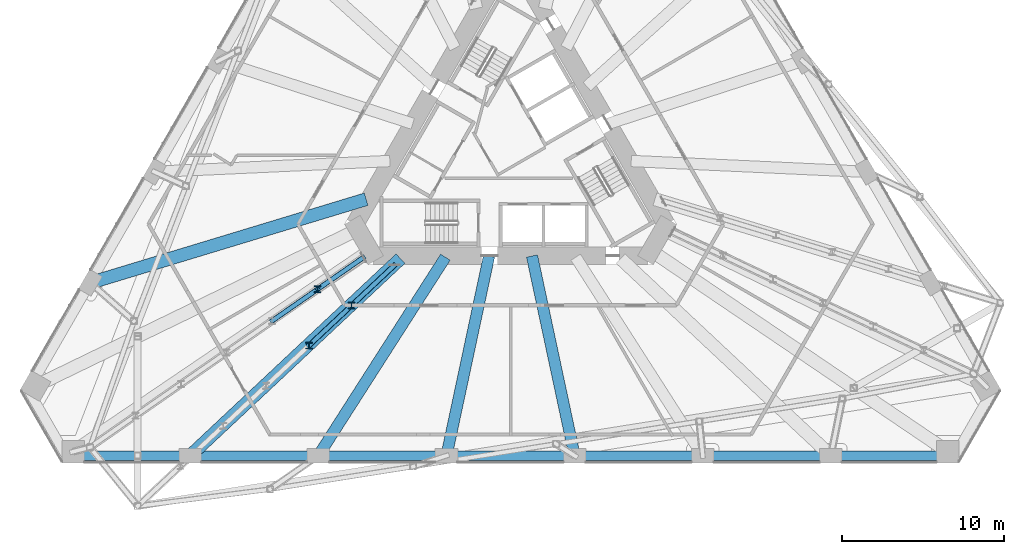
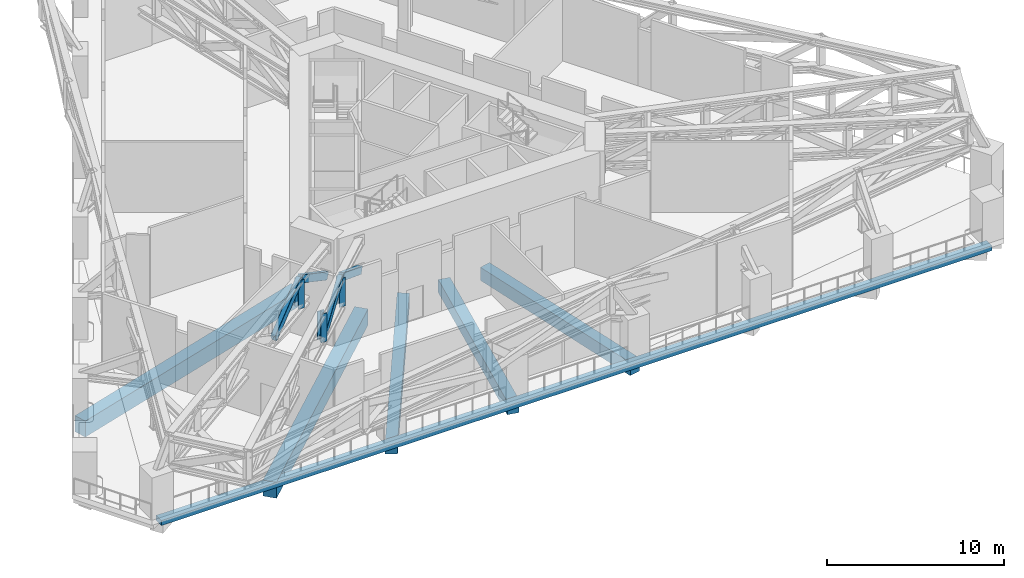
# One storey, part 3 of 20: 7 members, 6 beams.
"""IFC4 building model written with IfcOpenShell, lengths in metres."""

from ifc_helpers import new_model, si_unit, direction, frame, origin, origin_2d, place, context, subcontext, project, spatial, rectangle, hollow_rectangle, i_section, extrude, material, material_profile, profile_set, type_object, element, save


model = new_model("IFC4")

# Units and contexts
model_context = context("Model", 3, precision=1e-05, world=origin(), true_north=direction((0.0, 1.0)))
body_context = subcontext(model_context, "Body", "Model", "MODEL_VIEW")
ifc_project = project(units=[si_unit("LENGTHUNIT", "METRE"), si_unit("AREAUNIT", "SQUARE_METRE"), si_unit("VOLUMEUNIT", "CUBIC_METRE"), si_unit("PLANEANGLEUNIT", "RADIAN"), si_unit("MASSUNIT", "GRAM", prefix="KILO")], contexts=[model_context])

# Site, building, storey
site_placement = place(None, origin())
site = spatial("IfcSite", under=ifc_project, at=site_placement, CompositionType="ELEMENT")
building_placement = place(site_placement, origin())
building = spatial("IfcBuilding", under=site, at=building_placement, Name="Tramontana Tower", CompositionType="ELEMENT")
storey_placement = place(building_placement, frame((0.0, 0.0, 46.0)))
storey = spatial("IfcBuildingStorey", under=building, at=storey_placement, Name="L09", CompositionType="ELEMENT", Elevation=46.0)

# Beams
ifc_material_1 = material(Name="Concrete 40 MPa", Category="concrete")
ifc_material_profile_1 = material_profile(ifc_material_1, rectangle(XDim=0.60009765625, YDim=0.35009765625, at=origin_2d()), Name="RC EDGE BEAM 600X350 40 MPa")
ifc_profile_set_1 = profile_set([ifc_material_profile_1], Name="Concrete 40 MPa")
beam_type_1 = type_object("IfcBeamType", Name="RC EDGE BEAM 600X350 40 MPa", PredefinedType="SPANDREL", material=ifc_profile_set_1)
beam_1_placement = place(storey_placement, frame((-27.0126953125, -18.550048828125, -0.52490234375), z_axis=(1.0, 0.0, 0.0), x_axis=(0.0, 1.0, 0.0)))
element("IfcBeam", 1, at=beam_1_placement, inside=storey, type_object=beam_type_1, Name="Spandrel beam S1 L09", PredefinedType="SPANDREL", context=body_context, shape_type="SweptSolid", body=[
    extrude(rectangle(XDim=0.60009765625, YDim=0.35009765625, at=origin_2d()), origin(), (0.0, 0.0, 1.0), 54.025390625),
])
ifc_material_2 = material(Name="Concrete 40 MPa", Category="concrete")
ifc_material_profile_2 = material_profile(ifc_material_2, rectangle(XDim=0.699951171875, YDim=0.89990234375, at=origin_2d()), Name="RC GIRDER 700X900 40 MPa")
ifc_profile_set_2 = profile_set([ifc_material_profile_2], Name="Concrete 40 MPa")
beam_type_2 = type_object("IfcBeamType", Name="RC GIRDER 700X900 40 MPa", PredefinedType="BEAM", material=ifc_profile_set_2)
beam_2_placement = place(storey_placement, frame((-11.876953125, -18.550048828125, -0.800048828125), z_axis=(0.539217827497, 0.84216633423, 0.0), x_axis=(-0.84216633423, 0.539217827497, 0.0)))
element("IfcBeam", 2, at=beam_2_placement, inside=storey, type_object=beam_type_2, Name="Radial girder C0F08 L09", PredefinedType="BEAM", context=body_context, shape_type="SweptSolid", body=[
    extrude(rectangle(XDim=0.699951171875, YDim=0.89990234375, at=origin_2d()), origin(), (0.0, 0.0, 1.0), 14.5615234375),
])
for number, where, z_axis, x_axis, name in (
    (3, (-3.958984375, -18.550048828125, -0.800048828125), (0.208730772127, 0.977973141128, 0.0), (-0.977973141128, 0.208730772127, 0.0), "Radial girder C0F09 L09"),
    (4, (3.958984375, -18.550048828125, -0.800048828125), (-0.208730772127, 0.977973141128, 0.0), (-0.977973141128, -0.208730772127, 0.0), "Radial girder C0F10 L09"),
):
    element("IfcBeam", number, at=place(storey_placement, frame(where, z_axis=z_axis, x_axis=x_axis)), inside=storey, type_object=beam_type_2, Name=name, PredefinedType="BEAM", context=body_context, shape_type="SweptSolid", body=[
        extrude(rectangle(XDim=0.699951171875, YDim=0.89990234375, at=origin_2d()), origin(), (0.0, 0.0, 1.0), 12.61572265625),
    ])
ifc_material_3 = material(Name="Concrete 40 MPa", Category="concrete")
ifc_material_profile_3 = material_profile(ifc_material_3, rectangle(XDim=0.800048828125, YDim=1.10009765625, at=origin_2d()), Name="RC GIRDER 800X1100 40 MPa")
ifc_profile_set_3 = profile_set([ifc_material_profile_3], Name="Concrete 40 MPa")
beam_type_3 = type_object("IfcBeamType", Name="RC GIRDER 800X1100 40 MPa", PredefinedType="BEAM", material=ifc_profile_set_3)
beam_3_placement = place(storey_placement, frame((-25.962158203125, -7.867919921875, -0.89990234375), z_axis=(0.95701990712, 0.290022236004, 0.0), x_axis=(-0.290022236004, 0.95701990712, 0.0)))
element("IfcBeam", 5, at=beam_3_placement, inside=storey, type_object=beam_type_3, Name="Radial girder C0F06 L09", PredefinedType="BEAM", context=body_context, shape_type="SweptSolid", body=[
    extrude(rectangle(XDim=0.800048828125, YDim=1.10009765625, at=origin_2d()), origin(), (0.0, 0.0, 1.0), 17.806640625),
])
beam_4_placement = place(storey_placement, frame((-19.794921875, -18.550048828125, -0.89990234375), z_axis=(0.72967229952, 0.683796998614, 0.0), x_axis=(-0.683796998614, 0.72967229952, 0.0)))
element("IfcBeam", 6, at=beam_4_placement, inside=storey, type_object=beam_type_3, Name="Radial girder C0F07 L09", PredefinedType="BEAM", context=body_context, shape_type="SweptSolid", body=[
    extrude(rectangle(XDim=0.800048828125, YDim=1.10009765625, at=origin_2d()), origin(), (0.0, 0.0, 1.0), 17.806884765625),
])

# Members
ifc_material_4 = material(Name="Steel ASTM A500 Grade C", Category="steel")
ifc_material_profile_4 = material_profile(ifc_material_4, hollow_rectangle(XDim=0.3046875, YDim=0.508056640625, WallThickness=0.0146484375, InnerFilletRadius=0.0146484375, OuterFilletRadius=0.029541015625, at=origin_2d()), Name="HSS20X12X5/8")
ifc_profile_set_4 = profile_set([ifc_material_profile_4], Name="Steel ASTM A500 Grade C")
member_type_1 = type_object("IfcMemberType", Name="Transfer truss HSS20X12X5/8 brace", PredefinedType="BRACE", material=ifc_profile_set_4)
member_1_placement = place(storey_placement, frame((-9.103515625, -6.312255859375, 2.649169921875), z_axis=(-0.713779709555, -0.495422321399, 0.495050754658), x_axis=(0.570195437544, -0.821509076641, 0.0)))
element("IfcMember", 7, at=member_1_placement, inside=storey, type_object=member_type_1, Name="Transfer truss diagonal 1.1", PredefinedType="BRACE", context=body_context, shape_type="SweptSolid", body=[
    extrude(hollow_rectangle(XDim=0.3046875, YDim=0.508056640625, WallThickness=0.0146484375, InnerFilletRadius=0.0146484375, OuterFilletRadius=0.029541015625, at=origin_2d()), origin(), (0.0, 0.0, 1.0), 3.9423828125),
])
member_2_placement = place(storey_placement, frame((-11.91748046875, -8.265380859375, 4.600830078125), z_axis=(-0.71381008427, -0.495400422847, -0.49502887253), x_axis=(0.570162052608, -0.821532247551, 0.0)))
element("IfcMember", 8, at=member_2_placement, inside=storey, type_object=member_type_1, Name="Transfer truss diagonal 1.2", PredefinedType="BRACE", context=body_context, shape_type="SweptSolid", body=[
    extrude(hollow_rectangle(XDim=0.3046875, YDim=0.508056640625, WallThickness=0.0146484375, InnerFilletRadius=0.0146484375, OuterFilletRadius=0.029541015625, at=origin_2d()), origin(), (0.0, 0.0, 1.0), 3.942626953125),
])
member_3_placement = place(storey_placement, frame((-7.176513671875, -6.7900390625, 2.649169921875), z_axis=(-0.642192193499, -0.602403554364, 0.474024413189), x_axis=(0.684151674122, -0.729339760877, 0.0)))
element("IfcMember", 9, at=member_3_placement, inside=storey, type_object=member_type_1, Name="Transfer truss diagonal 2.1", PredefinedType="BRACE", context=body_context, shape_type="SweptSolid", body=[
    extrude(hollow_rectangle(XDim=0.3046875, YDim=0.508056640625, WallThickness=0.0146484375, InnerFilletRadius=0.0146484375, OuterFilletRadius=0.029541015625, at=origin_2d()), origin(), (0.0, 0.0, 1.0), 4.1171875),
])
member_4_placement = place(storey_placement, frame((-9.820556640625, -9.270263671875, 4.600830078125), z_axis=(-0.642157348925, -0.602426494388, -0.474042464429), x_axis=(0.684185278485, -0.729308237102, 0.0)))
element("IfcMember", 10, at=member_4_placement, inside=storey, type_object=member_type_1, Name="Transfer truss diagonal 2.2", PredefinedType="BRACE", context=body_context, shape_type="SweptSolid", body=[
    extrude(hollow_rectangle(XDim=0.3046875, YDim=0.508056640625, WallThickness=0.0146484375, InnerFilletRadius=0.0146484375, OuterFilletRadius=0.029541015625, at=origin_2d()), origin(), (0.0, 0.0, 1.0), 4.116943359375),
])
ifc_material_5 = material(Name="Steel ASTM A992 Grade 50", Category="steel")
ifc_material_profile_5 = material_profile(ifc_material_5, i_section(OverallWidth=0.4033203125, OverallDepth=0.406494140625, WebThickness=0.027099609375, FlangeThickness=0.04443359375, FilletRadius=0.01513671875, at=origin_2d()), Name="W14X233")
ifc_profile_set_5 = profile_set([ifc_material_profile_5], Name="Steel ASTM A992 Grade 50")
member_type_2 = type_object("IfcMemberType", Name="Transfer truss W14X233 post", PredefinedType="POST", material=ifc_profile_set_5)
for number, where, z_axis, x_axis, name in (
    (11, (-11.91748046875, -8.265380859375, 2.649169921875), (0.0, 0.0, 1.0), (1.0, 0.0, 0.0), "Transfer truss post 1.1"),
    (12, (-9.820556640625, -9.270263671875, 2.649169921875), (0.0, 0.0, 1.0), (1.0, 0.0, 0.0), "Transfer truss post 2.1"),
    (13, (-12.46435546875, -11.75048828125, 2.649169921875), (0.0, 0.0, 1.0), (1.0, 0.0, 0.0), "Transfer truss post 2.2"),
):
    element("IfcMember", number, at=place(storey_placement, frame(where, z_axis=z_axis, x_axis=x_axis)), inside=storey, type_object=member_type_2, Name=name, PredefinedType="POST", context=body_context, shape_type="SweptSolid", body=[
        extrude(i_section(OverallWidth=0.4033203125, OverallDepth=0.406494140625, WebThickness=0.027099609375, FlangeThickness=0.04443359375, FilletRadius=0.01513671875, at=origin_2d()), origin(), (0.0, 0.0, 1.0), 1.95166015625),
    ])

save(model, "model.ifc")
